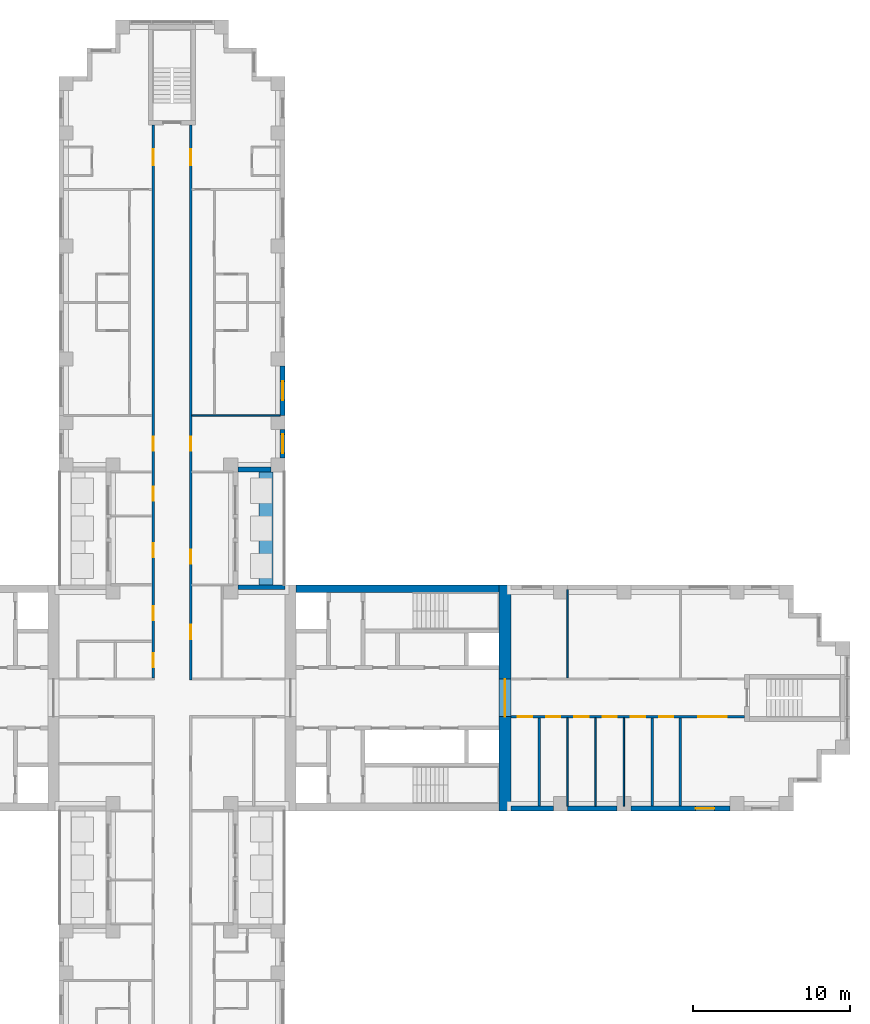
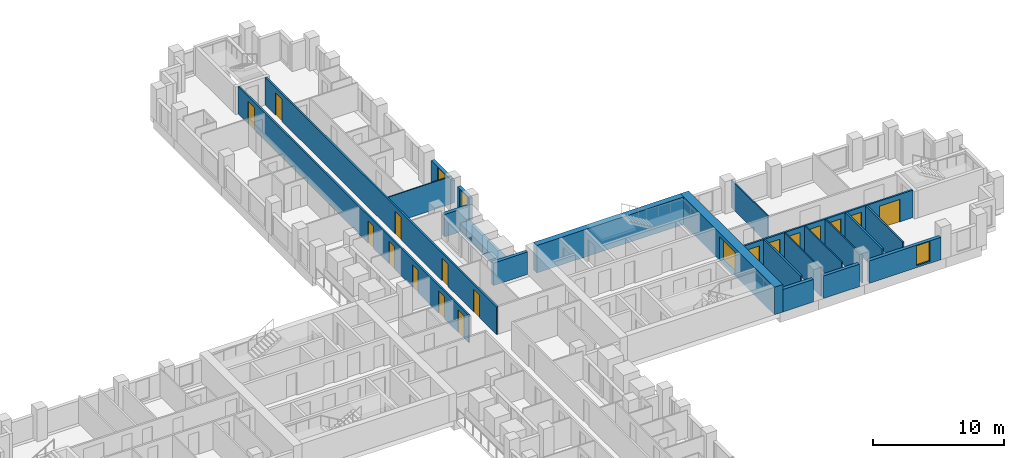
# One storey, part 10 of 16: 21 walls, 18 doors, 3 windows, 21 openings.
"""IFC4 building model written with IfcOpenShell, lengths in metres."""

from ifc_helpers import new_model, si_unit, direction, frame, frame_2d, origin, place, context, subcontext, project, spatial, rectangle, extrude, material, layer, layer_set, type_object, element, fill, save


model = new_model("IFC4")

# Units and contexts
model_context = context("Model", 3, precision=1e-05, world=origin(), true_north=direction((0.0, 1.0)))
body_context = subcontext(model_context, "Body", "Model", "MODEL_VIEW")
ifc_project = project(units=[si_unit("LENGTHUNIT", "METRE"), si_unit("AREAUNIT", "SQUARE_METRE"), si_unit("VOLUMEUNIT", "CUBIC_METRE"), si_unit("PLANEANGLEUNIT", "RADIAN"), si_unit("MASSUNIT", "GRAM", prefix="KILO")], contexts=[model_context])

# Site, building, storey
site_placement = place(None, origin())
site = spatial("IfcSite", under=ifc_project, at=site_placement, CompositionType="ELEMENT")
building_placement = place(site_placement, origin())
building = spatial("IfcBuilding", under=site, at=building_placement, Name="Fustian Cross Tower", CompositionType="ELEMENT")
storey_placement = place(building_placement, frame((0.0, 0.0, 26.699951171875)))
storey = spatial("IfcBuildingStorey", under=building, at=storey_placement, Name="L07", CompositionType="ELEMENT", Elevation=26.699951171875)

# Wall, openings, doors
ifc_material_1 = material(Name="Plasterboard on steel stud", Category="steel")
ifc_layer_1 = layer(ifc_material_1, 0.14990234375)
ifc_layer_set_1 = layer_set([ifc_layer_1], Name="Plasterboard on steel stud")
wall_type_1 = type_object("IfcWallType", Name="COMPARTMENT WALL 150 EI 60", PredefinedType="PARTITIONING", material=ifc_layer_set_1)
wall_1_placement = place(storey_placement, frame((-1.199951171875, 1.27490234375, 0.0), z_axis=(0.0, 0.0, 1.0), x_axis=(0.0, 1.0, 0.0)))
wall_1 = element("IfcWall", 1, at=wall_1_placement, inside=storey, type_object=wall_type_1, Name="Partition 52", PredefinedType="PARTITIONING", context=body_context, shape_type="SweptSolid", body=[
    extrude(rectangle(XDim=35.22509765625, YDim=0.14990234375, at=frame_2d((17.612548828125, 0.0))), origin(), (0.0, 0.0, 1.0), 2.574951171875),
])
opening_1_placement = place(wall_1_placement, frame((0.675048828125, 0.0, 0.0)))
opening_1 = element("IfcOpeningElement", 2, at=opening_1_placement, cuts=wall_1, Name="Opening D05003", PredefinedType="OPENING", context=body_context, shape_type="SweptSolid", body=[
    extrude(rectangle(XDim=0.89990234375, YDim=2.10009765625, at=frame_2d((0.449951171875, 1.050048828125))), frame((0.0, 0.0849609375, 0.0), z_axis=(0.0, -1.0, 0.0), x_axis=(1.0, 0.0, 0.0)), (0.0, 0.0, 1.0), 0.169921875),
])
opening_2_placement = place(wall_1_placement, frame((3.675048828125, 0.0, 0.0)))
opening_2 = element("IfcOpeningElement", 3, at=opening_2_placement, cuts=wall_1, Name="Opening D05005", PredefinedType="OPENING", context=body_context, shape_type="SweptSolid", body=[
    extrude(rectangle(XDim=0.89990234375, YDim=2.10009765625, at=frame_2d((0.449951171875, 1.050048828125))), frame((0.0, 0.0849609375, 0.0), z_axis=(0.0, -1.0, 0.0), x_axis=(1.0, 0.0, 0.0)), (0.0, 0.0, 1.0), 0.169921875),
])
opening_3_placement = place(wall_1_placement, frame((11.27490234375, 0.0, 0.0)))
opening_3 = element("IfcOpeningElement", 4, at=opening_3_placement, cuts=wall_1, Name="Opening D05020", PredefinedType="OPENING", context=body_context, shape_type="SweptSolid", body=[
    extrude(rectangle(XDim=0.89990234375, YDim=2.10009765625, at=frame_2d((0.449951171875, 1.050048828125))), frame((0.0, 0.0849609375, 0.0), z_axis=(0.0, -1.0, 0.0), x_axis=(1.0, 0.0, 0.0)), (0.0, 0.0, 1.0), 0.169921875),
])
opening_4_placement = place(wall_1_placement, frame((7.675048828125, 0.0, 0.0)))
opening_4 = element("IfcOpeningElement", 5, at=opening_4_placement, cuts=wall_1, Name="Opening D05021", PredefinedType="OPENING", context=body_context, shape_type="SweptSolid", body=[
    extrude(rectangle(XDim=0.89990234375, YDim=2.10009765625, at=frame_2d((0.449951171875, 1.050048828125))), frame((0.0, 0.0849609375, 0.0), z_axis=(0.0, -1.0, 0.0), x_axis=(1.0, 0.0, 0.0)), (0.0, 0.0, 1.0), 0.169921875),
])
opening_5_placement = place(wall_1_placement, frame((14.47509765625, 0.0, 0.0)))
opening_5 = element("IfcOpeningElement", 6, at=opening_5_placement, cuts=wall_1, Name="Opening D05022", PredefinedType="OPENING", context=body_context, shape_type="SweptSolid", body=[
    extrude(rectangle(XDim=0.89990234375, YDim=2.10009765625, at=frame_2d((0.449951171875, 1.050048828125))), frame((0.0, 0.0849609375, 0.0), z_axis=(0.0, -1.0, 0.0), x_axis=(1.0, 0.0, 0.0)), (0.0, 0.0, 1.0), 0.169921875),
])
opening_6_placement = place(wall_1_placement, frame((32.675048828125, 0.0, 0.0)))
opening_6 = element("IfcOpeningElement", 7, at=opening_6_placement, cuts=wall_1, Name="Opening D05024", PredefinedType="OPENING", context=body_context, shape_type="SweptSolid", body=[
    extrude(rectangle(XDim=1.0, YDim=2.10009765625, at=frame_2d((0.5, 1.050048828125))), frame((0.0, 0.0849609375, 0.0), z_axis=(0.0, -1.0, 0.0), x_axis=(1.0, 0.0, 0.0)), (0.0, 0.0, 1.0), 0.169921875),
])
ifc_material_2 = material(Name="Timber fire door set", Category="wood")
door_type_1 = type_object("IfcDoorType", Name="FIRE SWING DOOR 1000 FD30S", OperationType="SINGLE_SWING_LEFT", PredefinedType="DOOR", material=ifc_material_2)
door_1_placement = place(opening_6_placement, origin())
door_1 = element("IfcDoor", 8, at=door_1_placement, inside=storey, type_object=door_type_1, Name="Door D05024", OperationType="SINGLE_SWING_LEFT", OverallHeight=2.10009765625, OverallWidth=1.0, PredefinedType="DOOR", context=body_context, shape_type="SweptSolid", body=[
    extrude(rectangle(XDim=1.0, YDim=2.10009765625, at=frame_2d((0.5, 1.050048828125))), frame((0.0, 0.02490234375, 0.0), z_axis=(0.0, -1.0, 0.0), x_axis=(1.0, 0.0, 0.0)), (0.0, 0.0, 1.0), 0.050048828125),
])
fill(opening_6, door_1)
ifc_material_3 = material(Name="Timber fire door set", Category="wood")
door_type_2 = type_object("IfcDoorType", Name="FIRE SWING DOOR 900 FD30S", OperationType="SINGLE_SWING_LEFT", PredefinedType="DOOR", material=ifc_material_3)
door_2_placement = place(opening_1_placement, origin())
door_2 = element("IfcDoor", 9, at=door_2_placement, inside=storey, type_object=door_type_2, Name="Door D05003", OperationType="SINGLE_SWING_LEFT", OverallHeight=2.10009765625, OverallWidth=0.89990234375, PredefinedType="DOOR", context=body_context, shape_type="SweptSolid", body=[
    extrude(rectangle(XDim=0.89990234375, YDim=2.10009765625, at=frame_2d((0.449951171875, 1.050048828125))), frame((0.0, 0.02490234375, 0.0), z_axis=(0.0, -1.0, 0.0), x_axis=(1.0, 0.0, 0.0)), (0.0, 0.0, 1.0), 0.050048828125),
])
fill(opening_1, door_2)
door_3_placement = place(opening_2_placement, origin())
door_3 = element("IfcDoor", 10, at=door_3_placement, inside=storey, type_object=door_type_2, Name="Door D05005", OperationType="SINGLE_SWING_LEFT", OverallHeight=2.10009765625, OverallWidth=0.89990234375, PredefinedType="DOOR", context=body_context, shape_type="SweptSolid", body=[
    extrude(rectangle(XDim=0.89990234375, YDim=2.10009765625, at=frame_2d((0.449951171875, 1.050048828125))), frame((0.0, 0.02490234375, 0.0), z_axis=(0.0, -1.0, 0.0), x_axis=(1.0, 0.0, 0.0)), (0.0, 0.0, 1.0), 0.050048828125),
])
fill(opening_2, door_3)
door_4_placement = place(opening_3_placement, origin())
door_4 = element("IfcDoor", 11, at=door_4_placement, inside=storey, type_object=door_type_2, Name="Door D05020", OperationType="SINGLE_SWING_LEFT", OverallHeight=2.10009765625, OverallWidth=0.89990234375, PredefinedType="DOOR", context=body_context, shape_type="SweptSolid", body=[
    extrude(rectangle(XDim=0.89990234375, YDim=2.10009765625, at=frame_2d((0.449951171875, 1.050048828125))), frame((0.0, 0.02490234375, 0.0), z_axis=(0.0, -1.0, 0.0), x_axis=(1.0, 0.0, 0.0)), (0.0, 0.0, 1.0), 0.050048828125),
])
fill(opening_3, door_4)
door_5_placement = place(opening_4_placement, origin())
door_5 = element("IfcDoor", 12, at=door_5_placement, inside=storey, type_object=door_type_2, Name="Door D05021", OperationType="SINGLE_SWING_LEFT", OverallHeight=2.10009765625, OverallWidth=0.89990234375, PredefinedType="DOOR", context=body_context, shape_type="SweptSolid", body=[
    extrude(rectangle(XDim=0.89990234375, YDim=2.10009765625, at=frame_2d((0.449951171875, 1.050048828125))), frame((0.0, 0.02490234375, 0.0), z_axis=(0.0, -1.0, 0.0), x_axis=(1.0, 0.0, 0.0)), (0.0, 0.0, 1.0), 0.050048828125),
])
fill(opening_4, door_5)
door_6_placement = place(opening_5_placement, origin())
door_6 = element("IfcDoor", 13, at=door_6_placement, inside=storey, type_object=door_type_2, Name="Door D05022", OperationType="SINGLE_SWING_LEFT", OverallHeight=2.10009765625, OverallWidth=0.89990234375, PredefinedType="DOOR", context=body_context, shape_type="SweptSolid", body=[
    extrude(rectangle(XDim=0.89990234375, YDim=2.10009765625, at=frame_2d((0.449951171875, 1.050048828125))), frame((0.0, 0.02490234375, 0.0), z_axis=(0.0, -1.0, 0.0), x_axis=(1.0, 0.0, 0.0)), (0.0, 0.0, 1.0), 0.050048828125),
])
fill(opening_5, door_6)

wall_2_placement = place(storey_placement, frame((1.199951171875, 1.125, 0.0), z_axis=(0.0, 0.0, 1.0), x_axis=(0.0, 1.0, 0.0)))
wall_2 = element("IfcWall", 14, at=wall_2_placement, inside=storey, type_object=wall_type_1, Name="Partition 58", PredefinedType="PARTITIONING", context=body_context, shape_type="SweptSolid", body=[
    extrude(rectangle(XDim=35.375, YDim=0.14990234375, at=frame_2d((17.6875, 0.0))), origin(), (0.0, 0.0, 1.0), 2.574951171875),
])
opening_7_placement = place(wall_2_placement, frame((2.625, 0.0, 0.0)))
opening_7 = element("IfcOpeningElement", 15, at=opening_7_placement, cuts=wall_2, Name="Opening D05001", PredefinedType="OPENING", context=body_context, shape_type="SweptSolid", body=[
    extrude(rectangle(XDim=0.89990234375, YDim=2.10009765625, at=frame_2d((0.449951171875, 1.050048828125))), frame((0.0, 0.0849609375, 0.0), z_axis=(0.0, -1.0, 0.0), x_axis=(1.0, 0.0, 0.0)), (0.0, 0.0, 1.0), 0.169921875),
])
opening_8_placement = place(wall_2_placement, frame((7.425048828125, 0.0, 0.0)))
opening_8 = element("IfcOpeningElement", 16, at=opening_8_placement, cuts=wall_2, Name="Opening D05030", PredefinedType="OPENING", context=body_context, shape_type="SweptSolid", body=[
    extrude(rectangle(XDim=0.89990234375, YDim=2.10009765625, at=frame_2d((0.449951171875, 1.050048828125))), frame((0.0, 0.0849609375, 0.0), z_axis=(0.0, -1.0, 0.0), x_axis=(1.0, 0.0, 0.0)), (0.0, 0.0, 1.0), 0.169921875),
])
opening_9_placement = place(wall_2_placement, frame((14.625, 0.0, 0.0)))
opening_9 = element("IfcOpeningElement", 17, at=opening_9_placement, cuts=wall_2, Name="Opening D05031", PredefinedType="OPENING", context=body_context, shape_type="SweptSolid", body=[
    extrude(rectangle(XDim=0.89990234375, YDim=2.10009765625, at=frame_2d((0.449951171875, 1.050048828125))), frame((0.0, 0.0849609375, 0.0), z_axis=(0.0, -1.0, 0.0), x_axis=(1.0, 0.0, 0.0)), (0.0, 0.0, 1.0), 0.169921875),
])
opening_10_placement = place(wall_2_placement, frame((32.824951171875, 0.0, 0.0)))
opening_10 = element("IfcOpeningElement", 18, at=opening_10_placement, cuts=wall_2, Name="Opening D05033", PredefinedType="OPENING", context=body_context, shape_type="SweptSolid", body=[
    extrude(rectangle(XDim=1.0, YDim=2.10009765625, at=frame_2d((0.5, 1.050048828125))), frame((0.0, 0.0849609375, 0.0), z_axis=(0.0, -1.0, 0.0), x_axis=(1.0, 0.0, 0.0)), (0.0, 0.0, 1.0), 0.169921875),
])
door_7_placement = place(opening_10_placement, frame((1.0, 0.0, 0.0), z_axis=(0.0, 0.0, 1.0), x_axis=(-1.0, 0.0, 0.0)))
door_7 = element("IfcDoor", 19, at=door_7_placement, inside=storey, type_object=door_type_1, Name="Door D05033", OperationType="SINGLE_SWING_RIGHT", OverallHeight=2.10009765625, OverallWidth=1.0, PredefinedType="DOOR", context=body_context, shape_type="SweptSolid", body=[
    extrude(rectangle(XDim=1.0, YDim=2.10009765625, at=frame_2d((0.5, 1.050048828125))), frame((0.0, 0.02490234375, 0.0), z_axis=(0.0, -1.0, 0.0), x_axis=(1.0, 0.0, 0.0)), (0.0, 0.0, 1.0), 0.050048828125),
])
fill(opening_10, door_7)
door_8_placement = place(opening_7_placement, frame((0.89990234375, 0.0, 0.0), z_axis=(0.0, 0.0, 1.0), x_axis=(-1.0, 0.0, 0.0)))
door_8 = element("IfcDoor", 20, at=door_8_placement, inside=storey, type_object=door_type_2, Name="Door D05001", OperationType="SINGLE_SWING_RIGHT", OverallHeight=2.10009765625, OverallWidth=0.89990234375, PredefinedType="DOOR", context=body_context, shape_type="SweptSolid", body=[
    extrude(rectangle(XDim=0.89990234375, YDim=2.10009765625, at=frame_2d((0.449951171875, 1.050048828125))), frame((0.0, 0.02490234375, 0.0), z_axis=(0.0, -1.0, 0.0), x_axis=(1.0, 0.0, 0.0)), (0.0, 0.0, 1.0), 0.050048828125),
])
fill(opening_7, door_8)
door_9_placement = place(opening_8_placement, frame((0.89990234375, 0.0, 0.0), z_axis=(0.0, 0.0, 1.0), x_axis=(-1.0, 0.0, 0.0)))
door_9 = element("IfcDoor", 21, at=door_9_placement, inside=storey, type_object=door_type_2, Name="Door D05030", OperationType="SINGLE_SWING_RIGHT", OverallHeight=2.10009765625, OverallWidth=0.89990234375, PredefinedType="DOOR", context=body_context, shape_type="SweptSolid", body=[
    extrude(rectangle(XDim=0.89990234375, YDim=2.10009765625, at=frame_2d((0.449951171875, 1.050048828125))), frame((0.0, 0.02490234375, 0.0), z_axis=(0.0, -1.0, 0.0), x_axis=(1.0, 0.0, 0.0)), (0.0, 0.0, 1.0), 0.050048828125),
])
fill(opening_8, door_9)
door_10_placement = place(opening_9_placement, frame((0.89990234375, 0.0, 0.0), z_axis=(0.0, 0.0, 1.0), x_axis=(-1.0, 0.0, 0.0)))
door_10 = element("IfcDoor", 22, at=door_10_placement, inside=storey, type_object=door_type_2, Name="Door D05031", OperationType="SINGLE_SWING_RIGHT", OverallHeight=2.10009765625, OverallWidth=0.89990234375, PredefinedType="DOOR", context=body_context, shape_type="SweptSolid", body=[
    extrude(rectangle(XDim=0.89990234375, YDim=2.10009765625, at=frame_2d((0.449951171875, 1.050048828125))), frame((0.0, 0.02490234375, 0.0), z_axis=(0.0, -1.0, 0.0), x_axis=(1.0, 0.0, 0.0)), (0.0, 0.0, 1.0), 0.050048828125),
])
fill(opening_9, door_10)

wall_3_placement = place(storey_placement, frame((21.60009765625, -1.199951171875, 0.0), z_axis=(0.0, 0.0, 1.0), x_axis=(1.0, 0.0, 0.0)))
wall_3 = element("IfcWall", 23, at=wall_3_placement, inside=storey, type_object=wall_type_1, Name="Partition 92", PredefinedType="PARTITIONING", context=body_context, shape_type="SweptSolid", body=[
    extrude(rectangle(XDim=14.89990234375, YDim=0.14990234375, at=frame_2d((7.449951171875, 0.0))), origin(), (0.0, 0.0, 1.0), 2.574951171875),
])
opening_11_placement = place(wall_3_placement, frame((0.449951171875, 0.0, 0.0)))
opening_11 = element("IfcOpeningElement", 24, at=opening_11_placement, cuts=wall_3, Name="Opening D05013", PredefinedType="OPENING", context=body_context, shape_type="SweptSolid", body=[
    extrude(rectangle(XDim=0.89990234375, YDim=2.10009765625, at=frame_2d((0.449951171875, 1.050048828125))), frame((0.0, 0.0849609375, 0.0), z_axis=(0.0, -1.0, 0.0), x_axis=(1.0, 0.0, 0.0)), (0.0, 0.0, 1.0), 0.169921875),
])
opening_12_placement = place(wall_3_placement, frame((2.25, 0.0, 0.0)))
opening_12 = element("IfcOpeningElement", 25, at=opening_12_placement, cuts=wall_3, Name="Opening D05014", PredefinedType="OPENING", context=body_context, shape_type="SweptSolid", body=[
    extrude(rectangle(XDim=0.89990234375, YDim=2.10009765625, at=frame_2d((0.449951171875, 1.050048828125))), frame((0.0, 0.0849609375, 0.0), z_axis=(0.0, -1.0, 0.0), x_axis=(1.0, 0.0, 0.0)), (0.0, 0.0, 1.0), 0.169921875),
])
opening_13_placement = place(wall_3_placement, frame((4.050048828125, 0.0, 0.0)))
opening_13 = element("IfcOpeningElement", 26, at=opening_13_placement, cuts=wall_3, Name="Opening D05015", PredefinedType="OPENING", context=body_context, shape_type="SweptSolid", body=[
    extrude(rectangle(XDim=0.89990234375, YDim=2.10009765625, at=frame_2d((0.449951171875, 1.050048828125))), frame((0.0, 0.0849609375, 0.0), z_axis=(0.0, -1.0, 0.0), x_axis=(1.0, 0.0, 0.0)), (0.0, 0.0, 1.0), 0.169921875),
])
opening_14_placement = place(wall_3_placement, frame((5.85009765625, 0.0, 0.0)))
opening_14 = element("IfcOpeningElement", 27, at=opening_14_placement, cuts=wall_3, Name="Opening D05016", PredefinedType="OPENING", context=body_context, shape_type="SweptSolid", body=[
    extrude(rectangle(XDim=0.89990234375, YDim=2.10009765625, at=frame_2d((0.449951171875, 1.050048828125))), frame((0.0, 0.0849609375, 0.0), z_axis=(0.0, -1.0, 0.0), x_axis=(1.0, 0.0, 0.0)), (0.0, 0.0, 1.0), 0.169921875),
])
opening_15_placement = place(wall_3_placement, frame((7.64990234375, 0.0, 0.0)))
opening_15 = element("IfcOpeningElement", 28, at=opening_15_placement, cuts=wall_3, Name="Opening D05017", PredefinedType="OPENING", context=body_context, shape_type="SweptSolid", body=[
    extrude(rectangle(XDim=0.89990234375, YDim=2.10009765625, at=frame_2d((0.449951171875, 1.050048828125))), frame((0.0, 0.0849609375, 0.0), z_axis=(0.0, -1.0, 0.0), x_axis=(1.0, 0.0, 0.0)), (0.0, 0.0, 1.0), 0.169921875),
])
opening_16_placement = place(wall_3_placement, frame((9.449951171875, 0.0, 0.0)))
opening_16 = element("IfcOpeningElement", 29, at=opening_16_placement, cuts=wall_3, Name="Opening D05018", PredefinedType="OPENING", context=body_context, shape_type="SweptSolid", body=[
    extrude(rectangle(XDim=0.89990234375, YDim=2.10009765625, at=frame_2d((0.449951171875, 1.050048828125))), frame((0.0, 0.0849609375, 0.0), z_axis=(0.0, -1.0, 0.0), x_axis=(1.0, 0.0, 0.0)), (0.0, 0.0, 1.0), 0.169921875),
])
opening_17_placement = place(wall_3_placement, frame((11.949951171875, 0.0, 0.0)))
opening_17 = element("IfcOpeningElement", 30, at=opening_17_placement, cuts=wall_3, Name="Opening D05019", PredefinedType="OPENING", context=body_context, shape_type="SweptSolid", body=[
    extrude(rectangle(XDim=1.800048828125, YDim=2.10009765625, at=frame_2d((0.89990234375, 1.050048828125))), frame((0.0, 0.0849609375, 0.0), z_axis=(0.0, -1.0, 0.0), x_axis=(1.0, 0.0, 0.0)), (0.0, 0.0, 1.0), 0.169921875),
])
ifc_material_4 = material(Name="Timber fire door set", Category="wood")
door_type_3 = type_object("IfcDoorType", Name="FIRE DOUBLE DOOR 1800 FD30S", OperationType="DOUBLE_DOOR_DOUBLE_SWING", PredefinedType="DOOR", material=ifc_material_4)
door_11_placement = place(opening_17_placement, origin())
door_11 = element("IfcDoor", 31, at=door_11_placement, inside=storey, type_object=door_type_3, Name="Door D05019", OperationType="DOUBLE_DOOR_DOUBLE_SWING", OverallHeight=2.10009765625, OverallWidth=1.800048828125, PredefinedType="DOOR", context=body_context, shape_type="SweptSolid", body=[
    extrude(rectangle(XDim=1.800048828125, YDim=2.10009765625, at=frame_2d((0.89990234375, 1.050048828125))), frame((0.0, 0.02490234375, 0.0), z_axis=(0.0, -1.0, 0.0), x_axis=(1.0, 0.0, 0.0)), (0.0, 0.0, 1.0), 0.050048828125),
])
fill(opening_17, door_11)
door_12_placement = place(opening_11_placement, frame((0.89990234375, 0.0, 0.0), z_axis=(0.0, 0.0, 1.0), x_axis=(-1.0, 0.0, 0.0)))
door_12 = element("IfcDoor", 32, at=door_12_placement, inside=storey, type_object=door_type_2, Name="Door D05013", OperationType="SINGLE_SWING_LEFT", OverallHeight=2.10009765625, OverallWidth=0.89990234375, PredefinedType="DOOR", context=body_context, shape_type="SweptSolid", body=[
    extrude(rectangle(XDim=0.89990234375, YDim=2.10009765625, at=frame_2d((0.449951171875, 1.050048828125))), frame((0.0, 0.02490234375, 0.0), z_axis=(0.0, -1.0, 0.0), x_axis=(1.0, 0.0, 0.0)), (0.0, 0.0, 1.0), 0.050048828125),
])
fill(opening_11, door_12)
door_13_placement = place(opening_12_placement, frame((0.89990234375, 0.0, 0.0), z_axis=(0.0, 0.0, 1.0), x_axis=(-1.0, 0.0, 0.0)))
door_13 = element("IfcDoor", 33, at=door_13_placement, inside=storey, type_object=door_type_2, Name="Door D05014", OperationType="SINGLE_SWING_LEFT", OverallHeight=2.10009765625, OverallWidth=0.89990234375, PredefinedType="DOOR", context=body_context, shape_type="SweptSolid", body=[
    extrude(rectangle(XDim=0.89990234375, YDim=2.10009765625, at=frame_2d((0.449951171875, 1.050048828125))), frame((0.0, 0.02490234375, 0.0), z_axis=(0.0, -1.0, 0.0), x_axis=(1.0, 0.0, 0.0)), (0.0, 0.0, 1.0), 0.050048828125),
])
fill(opening_12, door_13)
door_14_placement = place(opening_13_placement, frame((0.89990234375, 0.0, 0.0), z_axis=(0.0, 0.0, 1.0), x_axis=(-1.0, 0.0, 0.0)))
door_14 = element("IfcDoor", 34, at=door_14_placement, inside=storey, type_object=door_type_2, Name="Door D05015", OperationType="SINGLE_SWING_LEFT", OverallHeight=2.10009765625, OverallWidth=0.89990234375, PredefinedType="DOOR", context=body_context, shape_type="SweptSolid", body=[
    extrude(rectangle(XDim=0.89990234375, YDim=2.10009765625, at=frame_2d((0.449951171875, 1.050048828125))), frame((0.0, 0.02490234375, 0.0), z_axis=(0.0, -1.0, 0.0), x_axis=(1.0, 0.0, 0.0)), (0.0, 0.0, 1.0), 0.050048828125),
])
fill(opening_13, door_14)
door_15_placement = place(opening_14_placement, frame((0.89990234375, 0.0, 0.0), z_axis=(0.0, 0.0, 1.0), x_axis=(-1.0, 0.0, 0.0)))
door_15 = element("IfcDoor", 35, at=door_15_placement, inside=storey, type_object=door_type_2, Name="Door D05016", OperationType="SINGLE_SWING_LEFT", OverallHeight=2.10009765625, OverallWidth=0.89990234375, PredefinedType="DOOR", context=body_context, shape_type="SweptSolid", body=[
    extrude(rectangle(XDim=0.89990234375, YDim=2.10009765625, at=frame_2d((0.449951171875, 1.050048828125))), frame((0.0, 0.02490234375, 0.0), z_axis=(0.0, -1.0, 0.0), x_axis=(1.0, 0.0, 0.0)), (0.0, 0.0, 1.0), 0.050048828125),
])
fill(opening_14, door_15)
door_16_placement = place(opening_15_placement, frame((0.89990234375, 0.0, 0.0), z_axis=(0.0, 0.0, 1.0), x_axis=(-1.0, 0.0, 0.0)))
door_16 = element("IfcDoor", 36, at=door_16_placement, inside=storey, type_object=door_type_2, Name="Door D05017", OperationType="SINGLE_SWING_LEFT", OverallHeight=2.10009765625, OverallWidth=0.89990234375, PredefinedType="DOOR", context=body_context, shape_type="SweptSolid", body=[
    extrude(rectangle(XDim=0.89990234375, YDim=2.10009765625, at=frame_2d((0.449951171875, 1.050048828125))), frame((0.0, 0.02490234375, 0.0), z_axis=(0.0, -1.0, 0.0), x_axis=(1.0, 0.0, 0.0)), (0.0, 0.0, 1.0), 0.050048828125),
])
fill(opening_15, door_16)
door_17_placement = place(opening_16_placement, origin())
door_17 = element("IfcDoor", 37, at=door_17_placement, inside=storey, type_object=door_type_2, Name="Door D05018", OperationType="SINGLE_SWING_RIGHT", OverallHeight=2.10009765625, OverallWidth=0.89990234375, PredefinedType="DOOR", context=body_context, shape_type="SweptSolid", body=[
    extrude(rectangle(XDim=0.89990234375, YDim=2.10009765625, at=frame_2d((0.449951171875, 1.050048828125))), frame((0.0, 0.02490234375, 0.0), z_axis=(0.0, -1.0, 0.0), x_axis=(1.0, 0.0, 0.0)), (0.0, 0.0, 1.0), 0.050048828125),
])
fill(opening_16, door_17)

# Walls
for number, where, z_axis, x_axis, name in (
    (38, (23.39990234375, -6.89990234375, 0.0), (0.0, 0.0, 1.0), (0.0, 1.0, 0.0), "Partition 94"),
    (39, (30.60009765625, -6.89990234375, 0.0), (0.0, 0.0, 1.0), (0.0, 1.0, 0.0), "Partition 99"),
    (40, (32.39990234375, -6.89990234375, 0.0), (0.0, 0.0, 1.0), (0.0, 1.0, 0.0), "Partition 100"),
):
    element("IfcWall", number, at=place(storey_placement, frame(where, z_axis=z_axis, x_axis=x_axis)), inside=storey, type_object=wall_type_1, Name=name, PredefinedType="PARTITIONING", context=body_context, shape_type="SweptSolid", body=[
        extrude(rectangle(XDim=5.625, YDim=0.14990234375, at=frame_2d((2.8125, 0.0))), origin(), (0.0, 0.0, 1.0), 2.574951171875),
    ])

# Wall, opening, door
ifc_material_5 = material(Name="Concrete C80/95", Category="concrete")
ifc_layer_2 = layer(ifc_material_5, 0.75)
ifc_layer_set_2 = layer_set([ifc_layer_2], Name="Concrete C80/95")
wall_type_2 = type_object("IfcWallType", Name="CORE END WALL 750 C80/95", PredefinedType="SHEAR", material=ifc_layer_set_2)
wall_4_placement = place(storey_placement, frame((21.22509765625, -7.199951171875, 0.0), z_axis=(0.0, 0.0, 1.0), x_axis=(0.0, 1.0, 0.0)))
wall_4 = element("IfcWall", 41, at=wall_4_placement, inside=storey, type_object=wall_type_2, Name="Core end wall", PredefinedType="SHEAR", context=body_context, shape_type="SweptSolid", body=[
    extrude(rectangle(XDim=14.39990234375, YDim=0.75, at=frame_2d((7.199951171875, 0.0))), origin(), (0.0, 0.0, 1.0), 2.574951171875),
])
opening_18_placement = place(wall_4_placement, frame((6.0, 0.0, 0.0)))
opening_18 = element("IfcOpeningElement", 42, at=opening_18_placement, cuts=wall_4, Name="Opening CD-05-13", PredefinedType="OPENING", context=body_context, shape_type="SweptSolid", body=[
    extrude(rectangle(XDim=2.39990234375, YDim=2.199951171875, at=frame_2d((1.199951171875, 1.10009765625))), frame((0.0, 0.385009765625, 0.0), z_axis=(0.0, -1.0, 0.0), x_axis=(1.0, 0.0, 0.0)), (0.0, 0.0, 1.0), 0.77001953125),
])
ifc_material_6 = material(Name="Steel", Category="steel")
door_type_4 = type_object("IfcDoorType", Name="FIRE DOOR FD30S DOUBLE 2400X2200", OperationType="DOUBLE_DOOR_DOUBLE_SWING", PredefinedType="DOOR", material=ifc_material_6)
door_18_placement = place(opening_18_placement, origin())
door_18 = element("IfcDoor", 43, at=door_18_placement, inside=storey, type_object=door_type_4, Name="Core door CD-05-13", OperationType="DOUBLE_DOOR_DOUBLE_SWING", OverallHeight=2.199951171875, OverallWidth=2.39990234375, PredefinedType="DOOR", context=body_context, shape_type="SweptSolid", body=[
    extrude(rectangle(XDim=2.39990234375, YDim=2.199951171875, at=frame_2d((1.199951171875, 1.10009765625))), frame((0.0, 0.02490234375, 0.0), z_axis=(0.0, -1.0, 0.0), x_axis=(1.0, 0.0, 0.0)), (0.0, 0.0, 1.0), 0.050048828125),
])
fill(opening_18, door_18)

# Walls
ifc_material_7 = material(Name="Concrete C80/95", Category="concrete")
ifc_layer_3 = layer(ifc_material_7, 0.5)
ifc_layer_set_3 = layer_set([ifc_layer_3], Name="Concrete C80/95")
wall_type_3 = type_object("IfcWallType", Name="CORE FACADE WALL 500 C80/95", PredefinedType="SHEAR", material=ifc_layer_set_3)
wall_5_placement = place(storey_placement, frame((7.89990234375, 6.949951171875, 0.0), z_axis=(0.0, 0.0, 1.0), x_axis=(1.0, 0.0, 0.0)))
element("IfcWall", 44, at=wall_5_placement, inside=storey, type_object=wall_type_3, Name="Core facade wall", PredefinedType="SHEAR", context=body_context, shape_type="SweptSolid", body=[
    extrude(rectangle(XDim=12.9501953125, YDim=0.5, at=frame_2d((6.47509765625, 0.0))), origin(), (0.0, 0.0, 1.0), 2.574951171875),
])
ifc_material_8 = material(Name="Plasterboard on steel stud", Category="steel")
ifc_layer_4 = layer(ifc_material_8, 0.10009765625)
ifc_layer_set_4 = layer_set([ifc_layer_4], Name="Plasterboard on steel stud")
wall_type_4 = type_object("IfcWallType", Name="PARTITION 100 STUD", PredefinedType="PARTITIONING", material=ifc_layer_set_4)
for number, where, z_axis, x_axis, name in (
    (45, (1.27490234375, 18.0, 0.0), (0.0, 0.0, 1.0), (1.0, 0.0, 0.0), "Partition 62"),
    (46, (25.199951171875, -6.89990234375, 0.0), (0.0, 0.0, 1.0), (0.0, 1.0, 0.0), "Partition 95"),
    (47, (25.199951171875, 1.27490234375, 0.0), (0.0, 0.0, 1.0), (0.0, 1.0, 0.0), "Partition 96"),
    (48, (27.0, -6.89990234375, 0.0), (0.0, 0.0, 1.0), (0.0, 1.0, 0.0), "Partition 97"),
    (49, (28.800048828125, -6.89990234375, 0.0), (0.0, 0.0, 1.0), (0.0, 1.0, 0.0), "Partition 98"),
):
    element("IfcWall", number, at=place(storey_placement, frame(where, z_axis=z_axis, x_axis=x_axis)), inside=storey, type_object=wall_type_4, Name=name, PredefinedType="PARTITIONING", context=body_context, shape_type="SweptSolid", body=[
        extrude(rectangle(XDim=5.625, YDim=0.10009765625, at=frame_2d((2.8125, 0.0))), origin(), (0.0, 0.0, 1.0), 2.574951171875),
    ])
ifc_material_9 = material(Name="Concrete C40/50", Category="concrete")
ifc_layer_5 = layer(ifc_material_9, 0.89990234375)
ifc_layer_set_5 = layer_set([ifc_layer_5], Name="Concrete C40/50")
wall_type_5 = type_object("IfcWallType", Name="PK1 PLANTER 900", PredefinedType="PARAPET", material=ifc_layer_set_5)
wall_6_placement = place(storey_placement, frame((6.0, 7.199951171875, 0.0), z_axis=(0.0, 0.0, 1.0), x_axis=(0.0, 1.0, 0.0)))
element("IfcWall", 50, at=wall_6_placement, inside=storey, type_object=wall_type_5, Name="PLANTER", PredefinedType="PARAPET", context=body_context, shape_type="SweptSolid", body=[
    extrude(rectangle(XDim=7.199951171875, YDim=0.89990234375, at=frame_2d((3.60009765625, 0.0))), origin(), (0.0, 0.0, 1.0), 0.800048828125),
])
ifc_material_10 = material(Name="Dark aluminium cladding on insulated backing wall", Category="aluminium")
ifc_layer_6 = layer(ifc_material_10, 0.300048828125)
ifc_layer_set_6 = layer_set([ifc_layer_6], Name="Dark aluminium cladding on insulated backing wall")
wall_type_6 = type_object("IfcWallType", Name="XW1 EXTERNAL WALL 300", PredefinedType="SOLIDWALL", material=ifc_layer_set_6)
wall_7_placement = place(storey_placement, frame((21.60009765625, -7.050048828125, 0.0), z_axis=(0.0, 0.0, 1.0), x_axis=(1.0, 0.0, 0.0)))
element("IfcWall", 51, at=wall_7_placement, inside=storey, type_object=wall_type_6, Name="External wall", PredefinedType="SOLIDWALL", context=body_context, shape_type="SweptSolid", body=[
    extrude(rectangle(XDim=2.699951171875, YDim=0.300048828125, at=frame_2d((1.35009765625, 0.0))), origin(), (0.0, 0.0, 1.0), 2.10009765625),
])
wall_8_placement = place(storey_placement, frame((25.199951171875, -7.050048828125, 0.0), z_axis=(0.0, 0.0, 1.0), x_axis=(1.0, 0.0, 0.0)))
element("IfcWall", 52, at=wall_8_placement, inside=storey, type_object=wall_type_6, Name="External wall", PredefinedType="SOLIDWALL", context=body_context, shape_type="SweptSolid", body=[
    extrude(rectangle(XDim=3.150146484375, YDim=0.300048828125, at=frame_2d((1.5751953125, 0.0))), origin(), (0.0, 0.0, 1.0), 2.10009765625),
])

# Wall, opening, window
wall_9_placement = place(storey_placement, frame((29.25, -7.050048828125, 0.0), z_axis=(0.0, 0.0, 1.0), x_axis=(1.0, 0.0, 0.0)))
wall_9 = element("IfcWall", 53, at=wall_9_placement, inside=storey, type_object=wall_type_6, Name="External wall", PredefinedType="SOLIDWALL", context=body_context, shape_type="SweptSolid", body=[
    extrude(rectangle(XDim=6.300048828125, YDim=0.300048828125, at=frame_2d((3.14990234375, 0.0))), origin(), (0.0, 0.0, 1.0), 2.10009765625),
])
opening_19_placement = place(wall_9_placement, frame((4.125, 0.0, 0.199951171875)))
opening_19 = element("IfcOpeningElement", 54, at=opening_19_placement, cuts=wall_9, Name="Opening WN3", PredefinedType="OPENING", context=body_context, shape_type="SweptSolid", body=[
    extrude(rectangle(XDim=1.199951171875, YDim=1.85009765625, at=frame_2d((0.60009765625, 0.925048828125))), frame((0.0, 0.159912109375, 0.0), z_axis=(0.0, -1.0, 0.0), x_axis=(1.0, 0.0, 0.0)), (0.0, 0.0, 1.0), 0.320068359375),
])
ifc_material_11 = material(Name="Dark anodised aluminium and double glazing", Category="aluminium")
window_type = type_object("IfcWindowType", Name="WN3 WINDOW 1200X1850", PartitioningType="SINGLE_PANEL", PredefinedType="WINDOW", material=ifc_material_11)
window_1_placement = place(opening_19_placement, origin())
window_1 = element("IfcWindow", 55, at=window_1_placement, inside=storey, type_object=window_type, Name="Window", OverallHeight=1.85009765625, OverallWidth=1.199951171875, PartitioningType="SINGLE_PANEL", PredefinedType="WINDOW", context=body_context, shape_type="SweptSolid", body=[
    extrude(rectangle(XDim=1.199951171875, YDim=1.85009765625, at=frame_2d((0.60009765625, 0.925048828125))), frame((0.0, 0.030029296875, 0.0), z_axis=(0.0, -1.0, 0.0), x_axis=(1.0, 0.0, 0.0)), (0.0, 0.0, 1.0), 0.06005859375),
])
fill(opening_19, window_1)

# Walls
wall_10_placement = place(storey_placement, frame((7.199951171875, 7.050048828125, 0.0), z_axis=(0.0, 0.0, 1.0), x_axis=(-1.0, 0.0, 0.0)))
element("IfcWall", 56, at=wall_10_placement, inside=storey, type_object=wall_type_6, Name="External wall", PredefinedType="SOLIDWALL", context=body_context, shape_type="SweptSolid", body=[
    extrude(rectangle(XDim=3.0, YDim=0.300048828125, at=frame_2d((1.5, 0.0))), origin(), (0.0, 0.0, 1.0), 2.10009765625),
])
wall_11_placement = place(storey_placement, frame((4.199951171875, 14.550048828125, 0.0), z_axis=(0.0, 0.0, 1.0), x_axis=(1.0, 0.0, 0.0)))
element("IfcWall", 57, at=wall_11_placement, inside=storey, type_object=wall_type_6, Name="External wall", PredefinedType="SOLIDWALL", context=body_context, shape_type="SweptSolid", body=[
    extrude(rectangle(XDim=2.10009765625, YDim=0.300048828125, at=frame_2d((1.050048828125, 0.0))), origin(), (0.0, 0.0, 1.0), 2.10009765625),
])

# Wall, opening, window
wall_12_placement = place(storey_placement, frame((7.050048828125, 15.300048828125, 0.0), z_axis=(0.0, 0.0, 1.0), x_axis=(0.0, 1.0, 0.0)))
wall_12 = element("IfcWall", 58, at=wall_12_placement, inside=storey, type_object=wall_type_6, Name="External wall", PredefinedType="SOLIDWALL", context=body_context, shape_type="SweptSolid", body=[
    extrude(rectangle(XDim=1.800048828125, YDim=0.300048828125, at=frame_2d((0.89990234375, 0.0))), origin(), (0.0, 0.0, 1.0), 2.10009765625),
])
opening_20_placement = place(wall_12_placement, frame((0.300048828125, 0.0, 0.199951171875)))
opening_20 = element("IfcOpeningElement", 59, at=opening_20_placement, cuts=wall_12, Name="Opening WN3", PredefinedType="OPENING", context=body_context, shape_type="SweptSolid", body=[
    extrude(rectangle(XDim=1.199951171875, YDim=1.85009765625, at=frame_2d((0.60009765625, 0.925048828125))), frame((0.0, 0.159912109375, 0.0), z_axis=(0.0, -1.0, 0.0), x_axis=(1.0, 0.0, 0.0)), (0.0, 0.0, 1.0), 0.320068359375),
])
window_2_placement = place(opening_20_placement, origin())
window_2 = element("IfcWindow", 60, at=window_2_placement, inside=storey, type_object=window_type, Name="Window", OverallHeight=1.85009765625, OverallWidth=1.199951171875, PartitioningType="SINGLE_PANEL", PredefinedType="WINDOW", context=body_context, shape_type="SweptSolid", body=[
    extrude(rectangle(XDim=1.199951171875, YDim=1.85009765625, at=frame_2d((0.60009765625, 0.925048828125))), frame((0.0, 0.030029296875, 0.0), z_axis=(0.0, -1.0, 0.0), x_axis=(1.0, 0.0, 0.0)), (0.0, 0.0, 1.0), 0.06005859375),
])
fill(opening_20, window_2)

wall_13_placement = place(storey_placement, frame((7.050048828125, 18.0, 0.0), z_axis=(0.0, 0.0, 1.0), x_axis=(0.0, 1.0, 0.0)))
wall_13 = element("IfcWall", 61, at=wall_13_placement, inside=storey, type_object=wall_type_6, Name="External wall", PredefinedType="SOLIDWALL", context=body_context, shape_type="SweptSolid", body=[
    extrude(rectangle(XDim=3.14990234375, YDim=0.300048828125, at=frame_2d((1.574951171875, 0.0))), origin(), (0.0, 0.0, 1.0), 2.10009765625),
])
opening_21_placement = place(wall_13_placement, frame((0.97509765625, 0.0, 0.199951171875)))
opening_21 = element("IfcOpeningElement", 62, at=opening_21_placement, cuts=wall_13, Name="Opening WN3", PredefinedType="OPENING", context=body_context, shape_type="SweptSolid", body=[
    extrude(rectangle(XDim=1.199951171875, YDim=1.85009765625, at=frame_2d((0.60009765625, 0.925048828125))), frame((0.0, 0.159912109375, 0.0), z_axis=(0.0, -1.0, 0.0), x_axis=(1.0, 0.0, 0.0)), (0.0, 0.0, 1.0), 0.320068359375),
])
window_3_placement = place(opening_21_placement, origin())
window_3 = element("IfcWindow", 63, at=window_3_placement, inside=storey, type_object=window_type, Name="Window", OverallHeight=1.85009765625, OverallWidth=1.199951171875, PartitioningType="SINGLE_PANEL", PredefinedType="WINDOW", context=body_context, shape_type="SweptSolid", body=[
    extrude(rectangle(XDim=1.199951171875, YDim=1.85009765625, at=frame_2d((0.60009765625, 0.925048828125))), frame((0.0, 0.030029296875, 0.0), z_axis=(0.0, -1.0, 0.0), x_axis=(1.0, 0.0, 0.0)), (0.0, 0.0, 1.0), 0.06005859375),
])
fill(opening_21, window_3)

save(model, "model.ifc")
